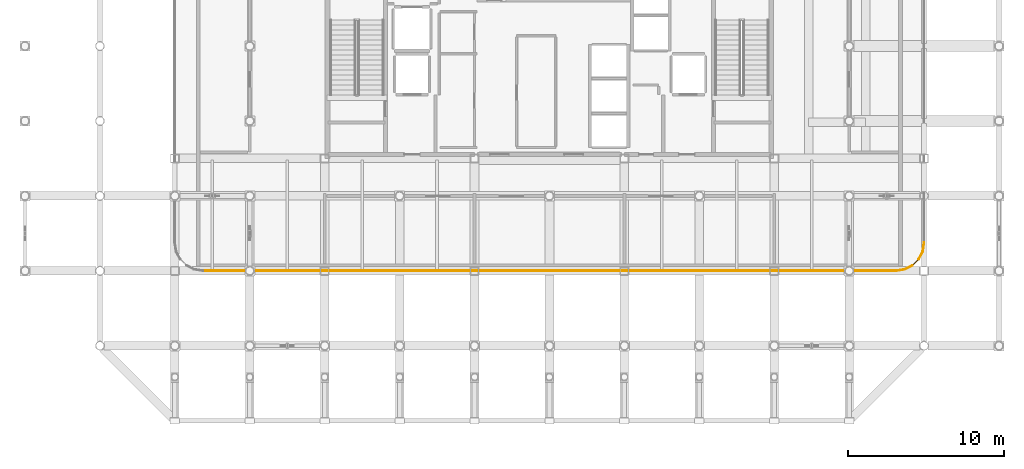
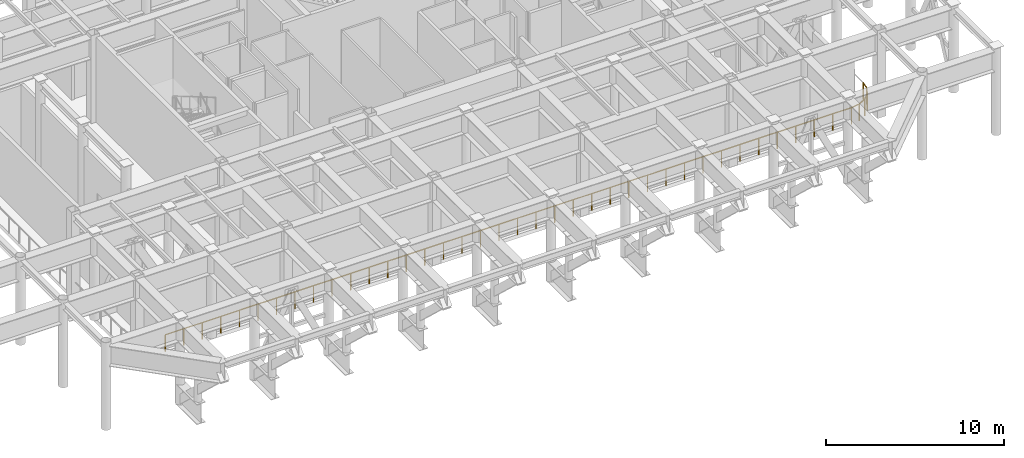
# One storey, part 18 of 20: 6 railings.
"""IFC4 building model written with IfcOpenShell, lengths in metres."""

from ifc_helpers import new_model, si_unit, direction, frame, origin, origin_2d, place, context, subcontext, project, spatial, circle, extrude, material, layer, layer_set, type_object, element, save


model = new_model("IFC4")

# Units and contexts
model_context = context("Model", 3, precision=1e-05, world=origin(), true_north=direction((0.0, 1.0)))
body_context = subcontext(model_context, "Body", "Model", "MODEL_VIEW")
ifc_project = project(units=[si_unit("LENGTHUNIT", "METRE"), si_unit("AREAUNIT", "SQUARE_METRE"), si_unit("VOLUMEUNIT", "CUBIC_METRE"), si_unit("PLANEANGLEUNIT", "RADIAN"), si_unit("MASSUNIT", "GRAM", prefix="KILO")], contexts=[model_context])

# Site, building, storey
site_placement = place(None, origin())
site = spatial("IfcSite", under=ifc_project, at=site_placement, CompositionType="ELEMENT")
building_placement = place(site_placement, origin())
building = spatial("IfcBuilding", under=site, at=building_placement, Name="Kallvorn Hotel Tower", CompositionType="ELEMENT")
storey_placement = place(building_placement, frame((0.0, 0.0, 276.199951171875)))
storey = spatial("IfcBuildingStorey", under=building, at=storey_placement, Name="L69", CompositionType="ELEMENT", Elevation=276.199951171875)

# Railings
ifc_material = material(Name="Galvanised painted steel S275JR balustrade", Category="steel")
ifc_layer = layer(ifc_material, 0.06005859375)
ifc_layer_set = layer_set([ifc_layer], Name="RL_WIND_GUARD_1150")
railing_type = type_object("IfcRailingType", Name="RL_WIND_GUARD_1150", PredefinedType="GUARDRAIL", material=ifc_layer_set)
railing_1_placement = place(storey_placement, frame((22.199951171875, -14.39990234375, 0.0)))
element("IfcRailing", 1, at=railing_1_placement, inside=storey, type_object=railing_type, Name="L69 Exterior Safety Guardrail WIND-L69-01", PredefinedType="GUARDRAIL", context=body_context, shape_type="SweptSolid", body=[
    extrude(circle(Radius=0.02392578125, at=origin_2d()), frame((0.0, 0.0, 1.1259765625), z_axis=(0.987741862218, 0.156096167866, 0.0), x_axis=(-0.156096167866, 0.987741862218, 0.0)), (0.0, 0.0, 1.0), 0.56298828125),
    extrude(circle(Radius=0.02099609375, at=origin_2d()), origin(), (0.0, 0.0, 1.0), 1.101806640625),
    extrude(circle(Radius=0.02099609375, at=origin_2d()), frame((0.55615234375, 0.087890625, 0.0)), (0.0, 0.0, 1.0), 1.101806640625),
])
railing_2_placement = place(storey_placement, frame((22.756103515625, -14.31201171875, 0.0)))
element("IfcRailing", 2, at=railing_2_placement, inside=storey, type_object=railing_type, Name="L69 Exterior Safety Guardrail WIND-L69-02", PredefinedType="GUARDRAIL", context=body_context, shape_type="SweptSolid", body=[
    extrude(circle(Radius=0.02392578125, at=origin_2d()), frame((0.0, 0.0, 1.1259765625), z_axis=(0.89093365011, 0.454133494803, 0.0), x_axis=(-0.454133494803, 0.89093365011, 0.0)), (0.0, 0.0, 1.0), 0.5634765625),
    extrude(circle(Radius=0.02099609375, at=origin_2d()), origin(), (0.0, 0.0, 1.0), 1.101806640625),
    extrude(circle(Radius=0.02099609375, at=origin_2d()), frame((0.501953125, 0.255859375, 0.0)), (0.0, 0.0, 1.0), 1.101806640625),
])
railing_3_placement = place(storey_placement, frame((23.258056640625, -14.05615234375, 0.0)))
element("IfcRailing", 3, at=railing_3_placement, inside=storey, type_object=railing_type, Name="L69 Exterior Safety Guardrail WIND-L69-03", PredefinedType="GUARDRAIL", context=body_context, shape_type="SweptSolid", body=[
    extrude(circle(Radius=0.02392578125, at=origin_2d()), frame((0.0, 0.0, 1.1259765625), z_axis=(0.707106781187, 0.707106781187, 0.0), x_axis=(-0.707106781187, 0.707106781187, 0.0)), (0.0, 0.0, 1.0), 0.563232421875),
    extrude(circle(Radius=0.02099609375, at=origin_2d()), origin(), (0.0, 0.0, 1.0), 1.101806640625),
    extrude(circle(Radius=0.02099609375, at=origin_2d()), frame((0.398193359375, 0.398193359375, 0.0)), (0.0, 0.0, 1.0), 1.101806640625),
])
railing_4_placement = place(storey_placement, frame((23.65625, -13.657958984375, 0.0)))
element("IfcRailing", 4, at=railing_4_placement, inside=storey, type_object=railing_type, Name="L69 Exterior Safety Guardrail WIND-L69-04", PredefinedType="GUARDRAIL", context=body_context, shape_type="SweptSolid", body=[
    extrude(circle(Radius=0.02392578125, at=origin_2d()), frame((0.0, 0.0, 1.1259765625), z_axis=(0.453964752271, 0.89101964271, 0.0), x_axis=(-0.89101964271, 0.453964752271, 0.0)), (0.0, 0.0, 1.0), 0.56298828125),
    extrude(circle(Radius=0.02099609375, at=origin_2d()), origin(), (0.0, 0.0, 1.0), 1.101806640625),
    extrude(circle(Radius=0.02099609375, at=origin_2d()), frame((0.255615234375, 0.501708984375, 0.0)), (0.0, 0.0, 1.0), 1.101806640625),
])
railing_5_placement = place(storey_placement, frame((23.911865234375, -13.15625, 0.0)))
element("IfcRailing", 5, at=railing_5_placement, inside=storey, type_object=railing_type, Name="L69 Exterior Safety Guardrail WIND-L69-05", PredefinedType="GUARDRAIL", context=body_context, shape_type="SweptSolid", body=[
    extrude(circle(Radius=0.02392578125, at=origin_2d()), frame((0.0, 0.0, 1.1259765625), z_axis=(0.156519160234, 0.987674922472, 0.0), x_axis=(-0.987674922472, 0.156519160234, 0.0)), (0.0, 0.0, 1.0), 0.56298828125),
    extrude(circle(Radius=0.02099609375, at=origin_2d()), origin(), (0.0, 0.0, 1.0), 1.101806640625),
    extrude(circle(Radius=0.02099609375, at=origin_2d()), frame((0.088134765625, 0.55615234375, 0.0)), (0.0, 0.0, 1.0), 1.101806640625),
])
railing_6_placement = place(storey_placement, frame((-22.199951171875, -14.39990234375, 0.0)))
element("IfcRailing", 6, at=railing_6_placement, inside=storey, type_object=railing_type, Name="L69 Exterior Safety Guardrail WIND-L69-24", PredefinedType="GUARDRAIL", context=body_context, shape_type="SweptSolid", body=[
    extrude(circle(Radius=0.02392578125, at=origin_2d()), frame((0.0, 0.0, 1.1259765625), z_axis=(1.0, 0.0, 0.0), x_axis=(0.0, 1.0, 0.0)), (0.0, 0.0, 1.0), 44.39990234375),
    extrude(circle(Radius=0.02099609375, at=origin_2d()), origin(), (0.0, 0.0, 1.0), 1.101806640625),
    extrude(circle(Radius=0.02099609375, at=origin_2d()), frame((1.199951171875, 0.0, 0.0)), (0.0, 0.0, 1.0), 1.101806640625),
    extrude(circle(Radius=0.02099609375, at=origin_2d()), frame((2.39990234375, 0.0, 0.0)), (0.0, 0.0, 1.0), 1.101806640625),
    extrude(circle(Radius=0.02099609375, at=origin_2d()), frame((3.60009765625, 0.0, 0.0)), (0.0, 0.0, 1.0), 1.101806640625),
    extrude(circle(Radius=0.02099609375, at=origin_2d()), frame((4.800048828125, 0.0, 0.0)), (0.0, 0.0, 1.0), 1.101806640625),
    extrude(circle(Radius=0.02099609375, at=origin_2d()), frame((6.0, 0.0, 0.0)), (0.0, 0.0, 1.0), 1.101806640625),
    extrude(circle(Radius=0.02099609375, at=origin_2d()), frame((7.199951171875, 0.0, 0.0)), (0.0, 0.0, 1.0), 1.101806640625),
    extrude(circle(Radius=0.02099609375, at=origin_2d()), frame((8.39990234375, 0.0, 0.0)), (0.0, 0.0, 1.0), 1.101806640625),
    extrude(circle(Radius=0.02099609375, at=origin_2d()), frame((9.60009765625, 0.0, 0.0)), (0.0, 0.0, 1.0), 1.101806640625),
    extrude(circle(Radius=0.02099609375, at=origin_2d()), frame((10.800048828125, 0.0, 0.0)), (0.0, 0.0, 1.0), 1.101806640625),
    extrude(circle(Radius=0.02099609375, at=origin_2d()), frame((12.0, 0.0, 0.0)), (0.0, 0.0, 1.0), 1.101806640625),
    extrude(circle(Radius=0.02099609375, at=origin_2d()), frame((13.199951171875, 0.0, 0.0)), (0.0, 0.0, 1.0), 1.101806640625),
    extrude(circle(Radius=0.02099609375, at=origin_2d()), frame((14.39990234375, 0.0, 0.0)), (0.0, 0.0, 1.0), 1.101806640625),
    extrude(circle(Radius=0.02099609375, at=origin_2d()), frame((15.599853515625, 0.0, 0.0)), (0.0, 0.0, 1.0), 1.101806640625),
    extrude(circle(Radius=0.02099609375, at=origin_2d()), frame((16.800048828125, 0.0, 0.0)), (0.0, 0.0, 1.0), 1.101806640625),
    extrude(circle(Radius=0.02099609375, at=origin_2d()), frame((18.0, 0.0, 0.0)), (0.0, 0.0, 1.0), 1.101806640625),
    extrude(circle(Radius=0.02099609375, at=origin_2d()), frame((19.199951171875, 0.0, 0.0)), (0.0, 0.0, 1.0), 1.101806640625),
    extrude(circle(Radius=0.02099609375, at=origin_2d()), frame((20.39990234375, 0.0, 0.0)), (0.0, 0.0, 1.0), 1.101806640625),
    extrude(circle(Radius=0.02099609375, at=origin_2d()), frame((21.599853515625, 0.0, 0.0)), (0.0, 0.0, 1.0), 1.101806640625),
    extrude(circle(Radius=0.02099609375, at=origin_2d()), frame((22.800048828125, 0.0, 0.0)), (0.0, 0.0, 1.0), 1.101806640625),
    extrude(circle(Radius=0.02099609375, at=origin_2d()), frame((24.0, 0.0, 0.0)), (0.0, 0.0, 1.0), 1.101806640625),
    extrude(circle(Radius=0.02099609375, at=origin_2d()), frame((25.199951171875, 0.0, 0.0)), (0.0, 0.0, 1.0), 1.101806640625),
    extrude(circle(Radius=0.02099609375, at=origin_2d()), frame((26.39990234375, 0.0, 0.0)), (0.0, 0.0, 1.0), 1.101806640625),
    extrude(circle(Radius=0.02099609375, at=origin_2d()), frame((27.599853515625, 0.0, 0.0)), (0.0, 0.0, 1.0), 1.101806640625),
    extrude(circle(Radius=0.02099609375, at=origin_2d()), frame((28.800048828125, 0.0, 0.0)), (0.0, 0.0, 1.0), 1.101806640625),
    extrude(circle(Radius=0.02099609375, at=origin_2d()), frame((30.0, 0.0, 0.0)), (0.0, 0.0, 1.0), 1.101806640625),
    extrude(circle(Radius=0.02099609375, at=origin_2d()), frame((31.199951171875, 0.0, 0.0)), (0.0, 0.0, 1.0), 1.101806640625),
    extrude(circle(Radius=0.02099609375, at=origin_2d()), frame((32.39990234375, 0.0, 0.0)), (0.0, 0.0, 1.0), 1.101806640625),
    extrude(circle(Radius=0.02099609375, at=origin_2d()), frame((33.599853515625, 0.0, 0.0)), (0.0, 0.0, 1.0), 1.101806640625),
    extrude(circle(Radius=0.02099609375, at=origin_2d()), frame((34.7998046875, 0.0, 0.0)), (0.0, 0.0, 1.0), 1.101806640625),
    extrude(circle(Radius=0.02099609375, at=origin_2d()), frame((36.0, 0.0, 0.0)), (0.0, 0.0, 1.0), 1.101806640625),
    extrude(circle(Radius=0.02099609375, at=origin_2d()), frame((37.199951171875, 0.0, 0.0)), (0.0, 0.0, 1.0), 1.101806640625),
    extrude(circle(Radius=0.02099609375, at=origin_2d()), frame((38.39990234375, 0.0, 0.0)), (0.0, 0.0, 1.0), 1.101806640625),
    extrude(circle(Radius=0.02099609375, at=origin_2d()), frame((39.599853515625, 0.0, 0.0)), (0.0, 0.0, 1.0), 1.101806640625),
    extrude(circle(Radius=0.02099609375, at=origin_2d()), frame((40.7998046875, 0.0, 0.0)), (0.0, 0.0, 1.0), 1.101806640625),
    extrude(circle(Radius=0.02099609375, at=origin_2d()), frame((42.0, 0.0, 0.0)), (0.0, 0.0, 1.0), 1.101806640625),
    extrude(circle(Radius=0.02099609375, at=origin_2d()), frame((43.199951171875, 0.0, 0.0)), (0.0, 0.0, 1.0), 1.101806640625),
    extrude(circle(Radius=0.02099609375, at=origin_2d()), frame((44.39990234375, 0.0, 0.0)), (0.0, 0.0, 1.0), 1.101806640625),
])

save(model, "model.ifc")
